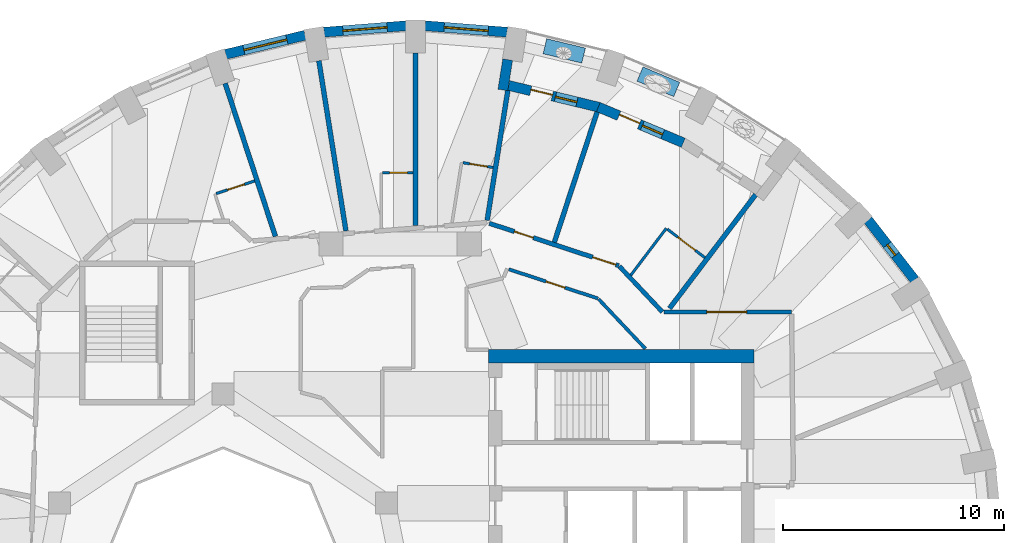
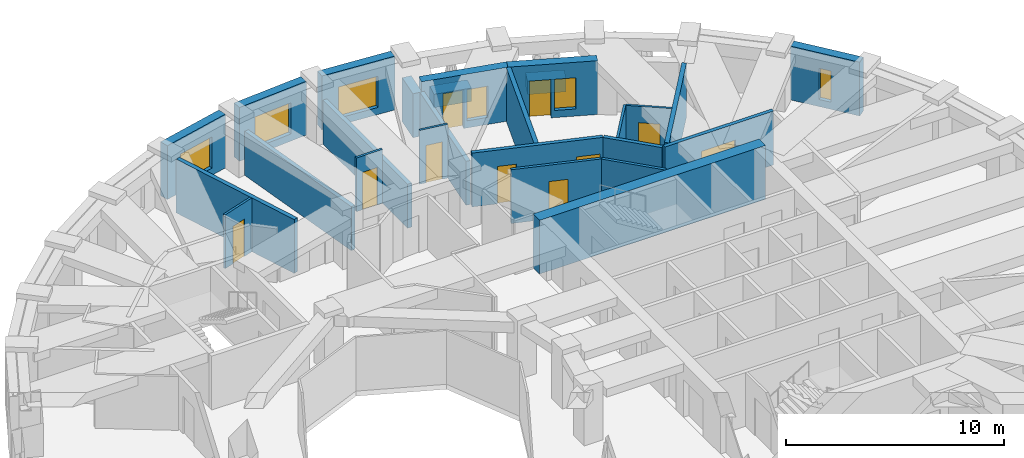
# One storey, part 8 of 12: 26 walls, 10 doors, 6 windows, 16 openings.
"""IFC4 building model written with IfcOpenShell, lengths in metres."""

from ifc_helpers import new_model, si_unit, direction, frame, frame_2d, origin, place, context, subcontext, project, spatial, rectangle, extrude, material, layer, layer_set, constituent, constituent_set, type_object, element, fill, save


model = new_model("IFC4")

# Units and contexts
model_context = context("Model", 3, precision=1e-05, world=origin(), true_north=direction((0.0, 1.0)))
body_context = subcontext(model_context, "Body", "Model", "MODEL_VIEW")
ifc_project = project(units=[si_unit("LENGTHUNIT", "METRE"), si_unit("AREAUNIT", "SQUARE_METRE"), si_unit("VOLUMEUNIT", "CUBIC_METRE"), si_unit("PLANEANGLEUNIT", "RADIAN"), si_unit("MASSUNIT", "GRAM", prefix="KILO")], contexts=[model_context])

# Site, building, storey
site_placement = place(None, origin())
site = spatial("IfcSite", under=ifc_project, at=site_placement, CompositionType="ELEMENT")
building_placement = place(site_placement, origin())
building = spatial("IfcBuilding", under=site, at=building_placement, Name="Taillehof Tower", CompositionType="ELEMENT")
storey_placement = place(building_placement, frame((0.0, 0.0, 189.199951171875)))
storey = spatial("IfcBuildingStorey", under=building, at=storey_placement, Name="L53", CompositionType="ELEMENT", Elevation=189.199951171875)

# Wall, opening, window
ifc_material_1 = material(Name="Brick masonry", Category="masonry")
ifc_layer_1 = layer(ifc_material_1, 0.449951171875)
ifc_layer_set_1 = layer_set([ifc_layer_1], Name="Brick infill wall 450")
wall_type_1 = type_object("IfcWallType", Name="Brick infill wall 450", PredefinedType="SOLIDWALL", material=ifc_layer_set_1)
wall_1_placement = place(storey_placement, frame((23.262939453125, 13.148193359375, 0.0), z_axis=(0.0, 0.0, 1.0), x_axis=(-0.614220816451, 0.789134201919, 0.0)))
wall_1 = element("IfcWall", 1, at=wall_1_placement, inside=storey, type_object=wall_type_1, Name="Brick wall L53 bay 4", PredefinedType="SOLIDWALL", context=body_context, shape_type="SweptSolid", body=[
    extrude(rectangle(XDim=3.437744140625, YDim=0.449951171875, at=frame_2d((1.71875, 0.0))), origin(), (0.0, 0.0, 1.0), 3.02001953125),
])
opening_1_placement = place(wall_1_placement, frame((1.4189453125, 0.0, 0.39990234375)))
opening_1 = element("IfcOpeningElement", 2, at=opening_1_placement, cuts=wall_1, Name="Opening W6", PredefinedType="OPENING", context=body_context, shape_type="SweptSolid", body=[
    extrude(rectangle(XDim=0.60009765625, YDim=1.75, at=frame_2d((0.300048828125, 0.875))), frame((0.0, 0.23486328125, 0.0), z_axis=(0.0, -1.0, 0.0), x_axis=(1.0, 0.0, 0.0)), (0.0, 0.0, 1.0), 0.469970703125),
])
ifc_material_2 = material(Name="Aluminium window frame with clear double glazing", Category="aluminium")
window_type_1 = type_object("IfcWindowType", Name="Slot window 600x1750", PartitioningType="SINGLE_PANEL", PredefinedType="WINDOW", material=ifc_material_2)
window_1_placement = place(opening_1_placement, origin())
window_1 = element("IfcWindow", 3, at=window_1_placement, inside=storey, type_object=window_type_1, Name="W6", OverallHeight=1.75, OverallWidth=0.60009765625, PartitioningType="SINGLE_PANEL", PredefinedType="WINDOW", context=body_context, shape_type="SweptSolid", body=[
    extrude(rectangle(XDim=0.60009765625, YDim=1.75, at=frame_2d((0.300048828125, 0.875))), frame((0.0, 0.034912109375, 0.0), z_axis=(0.0, -1.0, 0.0), x_axis=(1.0, 0.0, 0.0)), (0.0, 0.0, 1.0), 0.06005859375),
])
fill(opening_1, window_1)

wall_2_placement = place(storey_placement, frame((4.841064453125, 24.348388671875, 0.0), z_axis=(0.0, 0.0, 1.0), x_axis=(-0.996918697878, 0.078441760701, 0.0)))
wall_2 = element("IfcWall", 4, at=wall_2_placement, inside=storey, type_object=wall_type_1, Name="Brick wall L53 bay 9", PredefinedType="SOLIDWALL", context=body_context, shape_type="SweptSolid", body=[
    extrude(rectangle(XDim=3.722412109375, YDim=0.449951171875, at=frame_2d((1.861328125, 0.0))), origin(), (0.0, 0.0, 1.0), 3.02001953125),
])
opening_2_placement = place(wall_2_placement, frame((0.861328125, 0.0, 0.39990234375)))
opening_2 = element("IfcOpeningElement", 5, at=opening_2_placement, cuts=wall_2, Name="Opening W2", PredefinedType="OPENING", context=body_context, shape_type="SweptSolid", body=[
    extrude(rectangle(XDim=2.0, YDim=1.75, at=frame_2d((1.0, 0.875))), frame((0.0, 0.23486328125, 0.0), z_axis=(0.0, -1.0, 0.0), x_axis=(1.0, 0.0, 0.0)), (0.0, 0.0, 1.0), 0.469970703125),
])
ifc_material_3 = material(Name="Aluminium window frame with clear double glazing", Category="aluminium")
window_type_2 = type_object("IfcWindowType", Name="Deep-set window 2000x1750", PartitioningType="SINGLE_PANEL", PredefinedType="WINDOW", material=ifc_material_3)
window_2_placement = place(opening_2_placement, origin())
window_2 = element("IfcWindow", 6, at=window_2_placement, inside=storey, type_object=window_type_2, Name="W2", OverallHeight=1.75, OverallWidth=2.0, PartitioningType="SINGLE_PANEL", PredefinedType="WINDOW", context=body_context, shape_type="SweptSolid", body=[
    extrude(rectangle(XDim=2.0, YDim=1.75, at=frame_2d((1.0, 0.875))), frame((0.0, 0.034912109375, 0.0), z_axis=(0.0, -1.0, 0.0), x_axis=(1.0, 0.0, 0.0)), (0.0, 0.0, 1.0), 0.06005859375),
])
fill(opening_2, window_2)

wall_3_placement = place(storey_placement, frame((0.27001953125, 24.640380859375, 0.0), z_axis=(0.0, 0.0, 1.0), x_axis=(-0.996919101401, -0.078436632148, 0.0)))
wall_3 = element("IfcWall", 7, at=wall_3_placement, inside=storey, type_object=wall_type_1, Name="Brick wall L53 bay 10", PredefinedType="SOLIDWALL", context=body_context, shape_type="SweptSolid", body=[
    extrude(rectangle(XDim=3.72265625, YDim=0.449951171875, at=frame_2d((1.861328125, 0.0))), origin(), (0.0, 0.0, 1.0), 3.02001953125),
])
opening_3_placement = place(wall_3_placement, frame((0.861328125, 0.0, 0.39990234375)))
opening_3 = element("IfcOpeningElement", 8, at=opening_3_placement, cuts=wall_3, Name="Opening W2", PredefinedType="OPENING", context=body_context, shape_type="SweptSolid", body=[
    extrude(rectangle(XDim=2.0, YDim=1.75, at=frame_2d((1.0, 0.875))), frame((0.0, 0.23486328125, 0.0), z_axis=(0.0, -1.0, 0.0), x_axis=(1.0, 0.0, 0.0)), (0.0, 0.0, 1.0), 0.469970703125),
])
window_3_placement = place(opening_3_placement, origin())
window_3 = element("IfcWindow", 9, at=window_3_placement, inside=storey, type_object=window_type_2, Name="W2", OverallHeight=1.75, OverallWidth=2.0, PartitioningType="SINGLE_PANEL", PredefinedType="WINDOW", context=body_context, shape_type="SweptSolid", body=[
    extrude(rectangle(XDim=2.0, YDim=1.75, at=frame_2d((1.0, 0.875))), frame((0.0, 0.034912109375, 0.0), z_axis=(0.0, -1.0, 0.0), x_axis=(1.0, 0.0, 0.0)), (0.0, 0.0, 1.0), 0.06005859375),
])
fill(opening_3, window_3)

wall_4_placement = place(storey_placement, frame((-4.29052734375, 24.21337890625, 0.0), z_axis=(0.0, 0.0, 1.0), x_axis=(-0.972173533246, -0.234261864708, 0.0)))
wall_4 = element("IfcWall", 10, at=wall_4_placement, inside=storey, type_object=wall_type_1, Name="Brick wall L53 bay 11", PredefinedType="SOLIDWALL", context=body_context, shape_type="SweptSolid", body=[
    extrude(rectangle(XDim=3.697509765625, YDim=0.449951171875, at=frame_2d((1.8486328125, 0.0))), origin(), (0.0, 0.0, 1.0), 3.02001953125),
])
opening_4_placement = place(wall_4_placement, frame((0.848876953125, 0.0, 0.39990234375)))
opening_4 = element("IfcOpeningElement", 11, at=opening_4_placement, cuts=wall_4, Name="Opening W2", PredefinedType="OPENING", context=body_context, shape_type="SweptSolid", body=[
    extrude(rectangle(XDim=2.0, YDim=1.75, at=frame_2d((1.0, 0.875))), frame((0.0, 0.23486328125, 0.0), z_axis=(0.0, -1.0, 0.0), x_axis=(1.0, 0.0, 0.0)), (0.0, 0.0, 1.0), 0.469970703125),
])
window_4_placement = place(opening_4_placement, origin())
window_4 = element("IfcWindow", 12, at=window_4_placement, inside=storey, type_object=window_type_2, Name="W2", OverallHeight=1.75, OverallWidth=2.0, PartitioningType="SINGLE_PANEL", PredefinedType="WINDOW", context=body_context, shape_type="SweptSolid", body=[
    extrude(rectangle(XDim=2.0, YDim=1.75, at=frame_2d((1.0, 0.875))), frame((0.0, 0.034912109375, 0.0), z_axis=(0.0, -1.0, 0.0), x_axis=(1.0, 0.0, 0.0)), (0.0, 0.0, 1.0), 0.06005859375),
])
fill(opening_4, window_4)

# Wall
wall_5_placement = place(storey_placement, frame((4.8642578125, 23.109130859375, 0.0), z_axis=(0.0, 0.0, 1.0), x_axis=(-0.157017718735, -0.987595785736, 0.0)))
element("IfcWall", 13, at=wall_5_placement, inside=storey, type_object=wall_type_1, Name="Brick reveal L53 pocket 1", PredefinedType="SOLIDWALL", context=body_context, shape_type="SweptSolid", body=[
    extrude(rectangle(XDim=1.39013671875, YDim=0.449951171875, at=frame_2d((0.695068359375, 0.0))), origin(), (0.0, 0.0, 1.0), 2.469970703125),
])

# Wall, openings, door, window
wall_6_placement = place(storey_placement, frame((12.803955078125, 19.3486328125, 0.0), z_axis=(0.0, 0.0, 1.0), x_axis=(-0.921751093055, 0.387782055351, 0.0)))
wall_6 = element("IfcWall", 14, at=wall_6_placement, inside=storey, type_object=wall_type_1, Name="Brick wall L53 pocket bay 7", PredefinedType="SOLIDWALL", context=body_context, shape_type="SweptSolid", body=[
    extrude(rectangle(XDim=4.16845703125, YDim=0.449951171875, at=frame_2d((2.084228515625, 0.0))), origin(), (0.0, 0.0, 1.0), 3.02001953125),
])
opening_5_placement = place(wall_6_placement, frame((1.00927734375, 0.0, 0.39990234375)))
opening_5 = element("IfcOpeningElement", 15, at=opening_5_placement, cuts=wall_6, Name="Opening W5", PredefinedType="OPENING", context=body_context, shape_type="SweptSolid", body=[
    extrude(rectangle(XDim=1.0, YDim=1.75, at=frame_2d((0.5, 0.875))), frame((0.0, 0.23486328125, 0.0), z_axis=(0.0, -1.0, 0.0), x_axis=(1.0, 0.0, 0.0)), (0.0, 0.0, 1.0), 0.469970703125),
])
opening_6_placement = place(wall_6_placement, frame((2.1591796875, 0.0, 0.0)))
opening_6 = element("IfcOpeningElement", 16, at=opening_6_placement, cuts=wall_6, Name="Opening D5392", PredefinedType="OPENING", context=body_context, shape_type="SweptSolid", body=[
    extrude(rectangle(XDim=1.0, YDim=2.14990234375, at=frame_2d((0.5, 1.074951171875))), frame((0.0, 0.23486328125, 0.0), z_axis=(0.0, -1.0, 0.0), x_axis=(1.0, 0.0, 0.0)), (0.0, 0.0, 1.0), 0.469970703125),
])
ifc_material_4 = material(Name="Aluminium door frame with clear double glazing", Category="aluminium")
door_type_1 = type_object("IfcDoorType", Name="Balcony door 1000x2150", OperationType="SINGLE_SWING_RIGHT", PredefinedType="DOOR", material=ifc_material_4)
door_1_placement = place(opening_6_placement, frame((1.0, 0.0, 0.0), z_axis=(0.0, 0.0, 1.0), x_axis=(-1.0, 0.0, 0.0)))
door_1 = element("IfcDoor", 17, at=door_1_placement, inside=storey, type_object=door_type_1, Name="Balcony door L53 bay 7", OperationType="SINGLE_SWING_LEFT", OverallHeight=2.14990234375, OverallWidth=1.0, PredefinedType="DOOR", context=body_context, shape_type="SweptSolid", body=[
    extrude(rectangle(XDim=1.0, YDim=2.14990234375, at=frame_2d((0.5, 1.074951171875))), frame((0.0, 0.0751953125, 0.0), z_axis=(0.0, -1.0, 0.0), x_axis=(1.0, 0.0, 0.0)), (0.0, 0.0, 1.0), 0.050048828125),
])
fill(opening_6, door_1)
ifc_material_5 = material(Name="Aluminium window frame with clear double glazing", Category="aluminium")
window_type_3 = type_object("IfcWindowType", Name="Fixed window 1000x1750", PartitioningType="SINGLE_PANEL", PredefinedType="WINDOW", material=ifc_material_5)
window_5_placement = place(opening_5_placement, origin())
window_5 = element("IfcWindow", 18, at=window_5_placement, inside=storey, type_object=window_type_3, Name="W5", OverallHeight=1.75, OverallWidth=1.0, PartitioningType="SINGLE_PANEL", PredefinedType="WINDOW", context=body_context, shape_type="SweptSolid", body=[
    extrude(rectangle(XDim=1.0, YDim=1.75, at=frame_2d((0.5, 0.875))), frame((0.0, 0.034912109375, 0.0), z_axis=(0.0, -1.0, 0.0), x_axis=(1.0, 0.0, 0.0)), (0.0, 0.0, 1.0), 0.06005859375),
])
fill(opening_5, window_5)

wall_7_placement = place(storey_placement, frame((8.99609375, 20.95361328125, 0.0), z_axis=(0.0, 0.0, 1.0), x_axis=(-0.971994057868, 0.235005428593, 0.0)))
wall_7 = element("IfcWall", 19, at=wall_7_placement, inside=storey, type_object=wall_type_1, Name="Brick wall L53 pocket bay 8", PredefinedType="SOLIDWALL", context=body_context, shape_type="SweptSolid", body=[
    extrude(rectangle(XDim=4.20751953125, YDim=0.449951171875, at=frame_2d((2.103759765625, 0.0))), origin(), (0.0, 0.0, 1.0), 3.02001953125),
])
opening_7_placement = place(wall_7_placement, frame((1.028564453125, 0.0, 0.39990234375)))
opening_7 = element("IfcOpeningElement", 20, at=opening_7_placement, cuts=wall_7, Name="Opening W5", PredefinedType="OPENING", context=body_context, shape_type="SweptSolid", body=[
    extrude(rectangle(XDim=1.0, YDim=1.75, at=frame_2d((0.5, 0.875))), frame((0.0, 0.23486328125, 0.0), z_axis=(0.0, -1.0, 0.0), x_axis=(1.0, 0.0, 0.0)), (0.0, 0.0, 1.0), 0.469970703125),
])
opening_8_placement = place(wall_7_placement, frame((2.1787109375, 0.0, 0.0)))
opening_8 = element("IfcOpeningElement", 21, at=opening_8_placement, cuts=wall_7, Name="Opening D5393", PredefinedType="OPENING", context=body_context, shape_type="SweptSolid", body=[
    extrude(rectangle(XDim=1.0, YDim=2.14990234375, at=frame_2d((0.5, 1.074951171875))), frame((0.0, 0.23486328125, 0.0), z_axis=(0.0, -1.0, 0.0), x_axis=(1.0, 0.0, 0.0)), (0.0, 0.0, 1.0), 0.469970703125),
])
door_2_placement = place(opening_8_placement, frame((1.0, 0.0, 0.0), z_axis=(0.0, 0.0, 1.0), x_axis=(-1.0, 0.0, 0.0)))
door_2 = element("IfcDoor", 22, at=door_2_placement, inside=storey, type_object=door_type_1, Name="Balcony door L53 bay 8", OperationType="SINGLE_SWING_LEFT", OverallHeight=2.14990234375, OverallWidth=1.0, PredefinedType="DOOR", context=body_context, shape_type="SweptSolid", body=[
    extrude(rectangle(XDim=1.0, YDim=2.14990234375, at=frame_2d((0.5, 1.074951171875))), frame((0.0, 0.0751953125, 0.0), z_axis=(0.0, -1.0, 0.0), x_axis=(1.0, 0.0, 0.0)), (0.0, 0.0, 1.0), 0.050048828125),
])
fill(opening_8, door_2)
window_6_placement = place(opening_7_placement, origin())
window_6 = element("IfcWindow", 23, at=window_6_placement, inside=storey, type_object=window_type_3, Name="W5", OverallHeight=1.75, OverallWidth=1.0, PartitioningType="SINGLE_PANEL", PredefinedType="WINDOW", context=body_context, shape_type="SweptSolid", body=[
    extrude(rectangle(XDim=1.0, YDim=1.75, at=frame_2d((0.5, 0.875))), frame((0.0, 0.034912109375, 0.0), z_axis=(0.0, -1.0, 0.0), x_axis=(1.0, 0.0, 0.0)), (0.0, 0.0, 1.0), 0.06005859375),
])
fill(opening_7, window_6)

# Wall, openings, doors
ifc_material_6 = material(Name="Gypsum board on steel studs, two layers each side", Category="steel")
ifc_layer_2 = layer(ifc_material_6, 0.199951171875)
ifc_layer_set_2 = layer_set([ifc_layer_2], Name="Compartment wall corridor 200")
wall_type_2 = type_object("IfcWallType", Name="Compartment wall corridor 200", PredefinedType="PARTITIONING", material=ifc_layer_set_2)
wall_8_placement = place(storey_placement, frame((4.034912109375, 15.708251953125, 0.0), z_axis=(0.0, 0.0, 1.0), x_axis=(0.950331063317, -0.31124085544, 0.0)))
wall_8 = element("IfcWall", 24, at=wall_8_placement, inside=storey, type_object=wall_type_2, Name="Compartment wall", PredefinedType="PARTITIONING", context=body_context, shape_type="SweptSolid", body=[
    extrude(rectangle(XDim=6.1591796875, YDim=0.199951171875, at=frame_2d((3.07958984375, 0.0))), origin(), (0.0, 0.0, 1.0), 3.02001953125),
])
opening_9_placement = place(wall_8_placement, frame((4.919189453125, 0.0, 0.0)))
opening_9 = element("IfcOpeningElement", 25, at=opening_9_placement, cuts=wall_8, Name="Opening D5340", PredefinedType="OPENING", context=body_context, shape_type="SweptSolid", body=[
    extrude(rectangle(XDim=1.10009765625, YDim=2.10009765625, at=frame_2d((0.550048828125, 1.050048828125))), frame((0.0, 0.10986328125, 0.0), z_axis=(0.0, -1.0, 0.0), x_axis=(1.0, 0.0, 0.0)), (0.0, 0.0, 1.0), 0.219970703125),
])
opening_10_placement = place(wall_8_placement, frame((1.189453125, 0.0, 0.0)))
opening_10 = element("IfcOpeningElement", 26, at=opening_10_placement, cuts=wall_8, Name="Opening D5342", PredefinedType="OPENING", context=body_context, shape_type="SweptSolid", body=[
    extrude(rectangle(XDim=0.89990234375, YDim=2.10009765625, at=frame_2d((0.449951171875, 1.050048828125))), frame((0.0, 0.10986328125, 0.0), z_axis=(0.0, -1.0, 0.0), x_axis=(1.0, 0.0, 0.0)), (0.0, 0.0, 1.0), 0.219970703125),
])
ifc_material_7 = material(Name="Timber door leaf in steel frame", Category="steel")
door_type_2 = type_object("IfcDoorType", Name="Accessible guest room door EI 30 1100 x 2100", OperationType="SINGLE_SWING_LEFT", PredefinedType="DOOR", material=ifc_material_7)
door_3_placement = place(opening_9_placement, origin())
door_3 = element("IfcDoor", 27, at=door_3_placement, inside=storey, type_object=door_type_2, Name="D5340", OperationType="SINGLE_SWING_LEFT", OverallHeight=2.10009765625, OverallWidth=1.10009765625, PredefinedType="DOOR", context=body_context, shape_type="SweptSolid", body=[
    extrude(rectangle(XDim=1.10009765625, YDim=2.10009765625, at=frame_2d((0.550048828125, 1.050048828125))), frame((0.0, 0.02490234375, 0.0), z_axis=(0.0, -1.0, 0.0), x_axis=(1.0, 0.0, 0.0)), (0.0, 0.0, 1.0), 0.050048828125),
])
fill(opening_9, door_3)
ifc_material_8 = material(Name="Timber door leaf in steel frame", Category="steel")
door_type_3 = type_object("IfcDoorType", Name="Service room door EI 30 900 x 2100", OperationType="SINGLE_SWING_LEFT", PredefinedType="DOOR", material=ifc_material_8)
door_4_placement = place(opening_10_placement, origin())
door_4 = element("IfcDoor", 28, at=door_4_placement, inside=storey, type_object=door_type_3, Name="D5342", OperationType="SINGLE_SWING_RIGHT", OverallHeight=2.10009765625, OverallWidth=0.89990234375, PredefinedType="DOOR", context=body_context, shape_type="SweptSolid", body=[
    extrude(rectangle(XDim=0.89990234375, YDim=2.10009765625, at=frame_2d((0.449951171875, 1.050048828125))), frame((0.0, 0.02490234375, 0.0), z_axis=(0.0, -1.0, 0.0), x_axis=(1.0, 0.0, 0.0)), (0.0, 0.0, 1.0), 0.050048828125),
])
fill(opening_10, door_4)

# Wall
wall_9_placement = place(storey_placement, frame((9.91552734375, 13.761962890625, 0.0), z_axis=(0.0, 0.0, 1.0), x_axis=(0.686041532799, -0.727562378958, 0.0)))
element("IfcWall", 29, at=wall_9_placement, inside=storey, type_object=wall_type_2, Name="Compartment wall", PredefinedType="PARTITIONING", context=body_context, shape_type="SweptSolid", body=[
    extrude(rectangle(XDim=2.834228515625, YDim=0.199951171875, at=frame_2d((1.4169921875, 0.0))), origin(), (0.0, 0.0, 1.0), 3.02001953125),
])

# Wall, opening, door
wall_10_placement = place(storey_placement, frame((11.93994140625, 11.699951171875, 0.0), z_axis=(0.0, 0.0, 1.0), x_axis=(1.0, 0.0, 0.0)))
wall_10 = element("IfcWall", 30, at=wall_10_placement, inside=storey, type_object=wall_type_2, Name="Compartment wall", PredefinedType="PARTITIONING", context=body_context, shape_type="SweptSolid", body=[
    extrude(rectangle(XDim=5.760009765625, YDim=0.199951171875, at=frame_2d((2.8798828125, 0.0))), origin(), (0.0, 0.0, 1.0), 3.02001953125),
])
opening_11_placement = place(wall_10_placement, frame((1.926513671875, 0.0, 0.0)))
opening_11 = element("IfcOpeningElement", 31, at=opening_11_placement, cuts=wall_10, Name="Opening D5370", PredefinedType="OPENING", context=body_context, shape_type="SweptSolid", body=[
    extrude(rectangle(XDim=1.800048828125, YDim=2.10009765625, at=frame_2d((0.89990234375, 1.050048828125))), frame((0.0, 0.10986328125, 0.0), z_axis=(0.0, -1.0, 0.0), x_axis=(1.0, 0.0, 0.0)), (0.0, 0.0, 1.0), 0.219970703125),
])
ifc_material_9 = material(Name="Timber door leaf in steel frame", Category="steel")
door_type_4 = type_object("IfcDoorType", Name="Lounge and meeting room double door EI 30 1800 x 2100", OperationType="SINGLE_SWING_LEFT", PredefinedType="DOOR", material=ifc_material_9)
door_5_placement = place(opening_11_placement, origin())
door_5 = element("IfcDoor", 32, at=door_5_placement, inside=storey, type_object=door_type_4, Name="D5370", OperationType="DOUBLE_DOOR_SINGLE_SWING", OverallHeight=2.10009765625, OverallWidth=1.800048828125, PredefinedType="DOOR", context=body_context, shape_type="SweptSolid", body=[
    extrude(rectangle(XDim=1.800048828125, YDim=2.10009765625, at=frame_2d((0.89990234375, 1.050048828125))), frame((0.0, 0.02490234375, 0.0), z_axis=(0.0, -1.0, 0.0), x_axis=(1.0, 0.0, 0.0)), (0.0, 0.0, 1.0), 0.050048828125),
])
fill(opening_11, door_5)

# Walls
ifc_material_10 = material(Name="Gypsum board on double steel studs with mineral wool", Category="steel")
ifc_layer_3 = layer(ifc_material_10, 0.219970703125)
ifc_layer_set_3 = layer_set([ifc_layer_3], Name="Compartment wall guest room 220")
wall_type_3 = type_object("IfcWallType", Name="Compartment wall guest room 220", PredefinedType="PARTITIONING", material=ifc_layer_set_3)
wall_11_placement = place(storey_placement, frame((16.076904296875, 17.011474609375, 0.0), z_axis=(0.0, 0.0, 1.0), x_axis=(-0.603635635975, -0.797260320712, 0.0)))
element("IfcWall", 33, at=wall_11_placement, inside=storey, type_object=wall_type_3, Name="Compartment wall", PredefinedType="PARTITIONING", context=body_context, shape_type="SweptSolid", body=[
    extrude(rectangle(XDim=6.45703125, YDim=0.219970703125, at=frame_2d((3.228515625, 0.0))), origin(), (0.0, 0.0, 1.0), 3.02001953125),
])
wall_12_placement = place(storey_placement, frame((8.907958984375, 20.743408203125, 0.0), z_axis=(0.0, 0.0, 1.0), x_axis=(-0.311984764468, -0.950087104817, 0.0)))
element("IfcWall", 34, at=wall_12_placement, inside=storey, type_object=wall_type_3, Name="Compartment wall", PredefinedType="PARTITIONING", context=body_context, shape_type="SweptSolid", body=[
    extrude(rectangle(XDim=6.20166015625, YDim=0.219970703125, at=frame_2d((3.100830078125, 0.0))), origin(), (0.0, 0.0, 1.0), 3.02001953125),
])
wall_13_placement = place(storey_placement, frame((4.87109375, 21.719482421875, 0.0), z_axis=(0.0, 0.0, 1.0), x_axis=(-0.157106861106, -0.987581608878, 0.0)))
element("IfcWall", 35, at=wall_13_placement, inside=storey, type_object=wall_type_3, Name="Compartment wall", PredefinedType="PARTITIONING", context=body_context, shape_type="SweptSolid", body=[
    extrude(rectangle(XDim=5.94873046875, YDim=0.219970703125, at=frame_2d((2.974365234375, 0.0))), origin(), (0.0, 0.0, 1.0), 2.469970703125),
])
wall_14_placement = place(storey_placement, frame((0.699951171875, 23.39990234375, 0.0), z_axis=(0.0, 0.0, 1.0), x_axis=(0.0, -1.0, 0.0)))
element("IfcWall", 36, at=wall_14_placement, inside=storey, type_object=wall_type_3, Name="Compartment wall", PredefinedType="PARTITIONING", context=body_context, shape_type="SweptSolid", body=[
    extrude(rectangle(XDim=7.78662109375, YDim=0.219970703125, at=frame_2d((3.893310546875, 0.0))), origin(), (0.0, 0.0, 1.0), 2.469970703125),
])
wall_15_placement = place(storey_placement, frame((-3.6708984375, 23.05615234375, 0.0), z_axis=(0.0, 0.0, 1.0), x_axis=(0.157087942897, -0.987584618246, 0.0)))
element("IfcWall", 37, at=wall_15_placement, inside=storey, type_object=wall_type_3, Name="Compartment wall", PredefinedType="PARTITIONING", context=body_context, shape_type="SweptSolid", body=[
    extrude(rectangle(XDim=7.786376953125, YDim=0.219970703125, at=frame_2d((3.89306640625, 0.0))), origin(), (0.0, 0.0, 1.0), 2.469970703125),
])
wall_16_placement = place(storey_placement, frame((-7.9072265625, 22.035400390625, 0.0), z_axis=(0.0, 0.0, 1.0), x_axis=(0.311980831408, -0.950088396326, 0.0)))
element("IfcWall", 38, at=wall_16_placement, inside=storey, type_object=wall_type_3, Name="Compartment wall", PredefinedType="PARTITIONING", context=body_context, shape_type="SweptSolid", body=[
    extrude(rectangle(XDim=7.283203125, YDim=0.219970703125, at=frame_2d((3.6416015625, 0.0))), origin(), (0.0, 0.0, 1.0), 3.02001953125),
])

# Wall, opening, door
ifc_material_11 = material(Name="Gypsum board on steel studs, two layers each side", Category="steel")
ifc_layer_4 = layer(ifc_material_11, 0.14990234375)
ifc_layer_set_4 = layer_set([ifc_layer_4], Name="Compartment wall service room 150")
wall_type_4 = type_object("IfcWallType", Name="Compartment wall service room 150", PredefinedType="PARTITIONING", material=ifc_layer_set_4)
wall_17_placement = place(storey_placement, frame((4.917236328125, 13.631103515625, 0.0), z_axis=(0.0, 0.0, 1.0), x_axis=(0.950299632499, -0.311336808733, 0.0)))
wall_17 = element("IfcWall", 39, at=wall_17_placement, inside=storey, type_object=wall_type_4, Name="Compartment wall", PredefinedType="PARTITIONING", context=body_context, shape_type="SweptSolid", body=[
    extrude(rectangle(XDim=4.241455078125, YDim=0.14990234375, at=frame_2d((2.12060546875, 0.0))), origin(), (0.0, 0.0, 1.0), 3.02001953125),
])
opening_12_placement = place(wall_17_placement, frame((1.77294921875, 0.0, 0.0)))
opening_12 = element("IfcOpeningElement", 40, at=opening_12_placement, cuts=wall_17, Name="Opening D5371", PredefinedType="OPENING", context=body_context, shape_type="SweptSolid", body=[
    extrude(rectangle(XDim=0.89990234375, YDim=2.10009765625, at=frame_2d((0.449951171875, 1.050048828125))), frame((0.0, 0.0849609375, 0.0), z_axis=(0.0, -1.0, 0.0), x_axis=(1.0, 0.0, 0.0)), (0.0, 0.0, 1.0), 0.169921875),
])
door_6_placement = place(opening_12_placement, origin())
door_6 = element("IfcDoor", 41, at=door_6_placement, inside=storey, type_object=door_type_3, Name="D5371", OperationType="SINGLE_SWING_LEFT", OverallHeight=2.10009765625, OverallWidth=0.89990234375, PredefinedType="DOOR", context=body_context, shape_type="SweptSolid", body=[
    extrude(rectangle(XDim=0.89990234375, YDim=2.10009765625, at=frame_2d((0.449951171875, 1.050048828125))), frame((0.0, 0.02490234375, 0.0), z_axis=(0.0, -1.0, 0.0), x_axis=(1.0, 0.0, 0.0)), (0.0, 0.0, 1.0), 0.050048828125),
])
fill(opening_12, door_6)

# Walls
wall_18_placement = place(storey_placement, frame((8.975341796875, 12.28125, 0.0), z_axis=(0.0, 0.0, 1.0), x_axis=(0.686010468192, -0.727591669503, 0.0)))
element("IfcWall", 42, at=wall_18_placement, inside=storey, type_object=wall_type_4, Name="Compartment wall", PredefinedType="PARTITIONING", context=body_context, shape_type="SweptSolid", body=[
    extrude(rectangle(XDim=3.07666015625, YDim=0.14990234375, at=frame_2d((1.538330078125, 0.0))), origin(), (0.0, 0.0, 1.0), 3.02001953125),
])
ifc_material_12 = material(Name="Concrete C80/95", Category="concrete")
ifc_layer_5 = layer(ifc_material_12, 0.60009765625)
ifc_layer_set_5 = layer_set([ifc_layer_5], Name="Core wall C80/95 600")
wall_type_5 = type_object("IfcWallType", Name="Core wall C80/95 600", PredefinedType="SHEAR", material=ifc_layer_set_5)
wall_19_placement = place(storey_placement, frame((4.0, 9.699951171875, 0.0), z_axis=(0.0, 0.0, 1.0), x_axis=(1.0, 0.0, 0.0)))
element("IfcWall", 43, at=wall_19_placement, inside=storey, type_object=wall_type_5, Name="Core wall CW06", PredefinedType="SHEAR", context=body_context, shape_type="SweptSolid", body=[
    extrude(rectangle(XDim=12.0, YDim=0.60009765625, at=frame_2d((6.0, 0.0))), origin(), (0.0, 0.0, 1.0), 3.02001953125),
])
ifc_material_13 = material(Name="Gypsum board on steel studs, moisture resistant", Category="steel")
ifc_layer_6 = layer(ifc_material_13, 0.1201171875)
ifc_layer_set_6 = layer_set([ifc_layer_6], Name="En-suite wall 120")
wall_type_6 = type_object("IfcWallType", Name="En-suite wall 120", PredefinedType="PARTITIONING", material=ifc_layer_set_6)
wall_20_placement = place(storey_placement, frame((10.4296875, 13.36279296875, 0.0), z_axis=(0.0, 0.0, 1.0), x_axis=(0.603597479969, 0.797289208616, 0.0)))
element("IfcWall", 44, at=wall_20_placement, inside=storey, type_object=wall_type_6, Name="En-suite wall", PredefinedType="PARTITIONING", context=body_context, shape_type="SweptSolid", body=[
    extrude(rectangle(XDim=2.65576171875, YDim=0.1201171875, at=frame_2d((1.327880859375, 0.0))), origin(), (0.0, 0.0, 1.0), 3.02001953125),
])

# Wall, opening, door
wall_21_placement = place(storey_placement, frame((12.08056640625, 15.444091796875, 0.0), z_axis=(0.0, 0.0, 1.0), x_axis=(0.797240905551, -0.603661277967, 0.0)))
wall_21 = element("IfcWall", 45, at=wall_21_placement, inside=storey, type_object=wall_type_6, Name="En-suite wall", PredefinedType="PARTITIONING", context=body_context, shape_type="SweptSolid", body=[
    extrude(rectangle(XDim=2.130126953125, YDim=0.1201171875, at=frame_2d((1.06494140625, 0.0))), origin(), (0.0, 0.0, 1.0), 3.02001953125),
])
opening_13_placement = place(wall_21_placement, frame((0.590087890625, 0.0, 0.0)))
opening_13 = element("IfcOpeningElement", 46, at=opening_13_placement, cuts=wall_21, Name="Opening D5341", PredefinedType="OPENING", context=body_context, shape_type="SweptSolid", body=[
    extrude(rectangle(XDim=1.0, YDim=2.10009765625, at=frame_2d((0.5, 1.050048828125))), frame((0.0, 0.070068359375, 0.0), z_axis=(0.0, -1.0, 0.0), x_axis=(1.0, 0.0, 0.0)), (0.0, 0.0, 1.0), 0.14013671875),
])
ifc_material_14 = material(Name="Timber door leaf in steel frame", Category="steel")
door_type_5 = type_object("IfcDoorType", Name="Accessible en-suite door 1000 x 2100", OperationType="SINGLE_SWING_LEFT", PredefinedType="DOOR", material=ifc_material_14)
door_7_placement = place(opening_13_placement, origin())
door_7 = element("IfcDoor", 47, at=door_7_placement, inside=storey, type_object=door_type_5, Name="D5341", OperationType="SINGLE_SWING_RIGHT", OverallHeight=2.10009765625, OverallWidth=1.0, PredefinedType="DOOR", context=body_context, shape_type="SweptSolid", body=[
    extrude(rectangle(XDim=1.0, YDim=2.10009765625, at=frame_2d((0.5, 1.050048828125))), frame((0.0, 0.02490234375, 0.0), z_axis=(0.0, -1.0, 0.0), x_axis=(1.0, 0.0, 0.0)), (0.0, 0.0, 1.0), 0.050048828125),
])
fill(opening_13, door_7)

wall_22_placement = place(storey_placement, frame((2.842041015625, 18.448974609375, 0.0), z_axis=(0.0, 0.0, 1.0), x_axis=(0.98758155412, -0.157107205313, 0.0)))
wall_22 = element("IfcWall", 48, at=wall_22_placement, inside=storey, type_object=wall_type_6, Name="En-suite wall", PredefinedType="PARTITIONING", context=body_context, shape_type="SweptSolid", body=[
    extrude(rectangle(XDim=1.3798828125, YDim=0.1201171875, at=frame_2d((0.68994140625, 0.0))), origin(), (0.0, 0.0, 1.0), 3.02001953125),
])
opening_14_placement = place(wall_22_placement, frame((0.31494140625, 0.0, 0.0)))
opening_14 = element("IfcOpeningElement", 49, at=opening_14_placement, cuts=wall_22, Name="Opening D5344", PredefinedType="OPENING", context=body_context, shape_type="SweptSolid", body=[
    extrude(rectangle(XDim=0.800048828125, YDim=2.10009765625, at=frame_2d((0.39990234375, 1.050048828125))), frame((0.0, 0.070068359375, 0.0), z_axis=(0.0, -1.0, 0.0), x_axis=(1.0, 0.0, 0.0)), (0.0, 0.0, 1.0), 0.14013671875),
])
ifc_material_15 = material(Name="Timber door leaf in steel frame", Category="steel")
door_type_6 = type_object("IfcDoorType", Name="En-suite door 800 x 2100", OperationType="SINGLE_SWING_LEFT", PredefinedType="DOOR", material=ifc_material_15)
door_8_placement = place(opening_14_placement, origin())
door_8 = element("IfcDoor", 50, at=door_8_placement, inside=storey, type_object=door_type_6, Name="D5344", OperationType="SINGLE_SWING_LEFT", OverallHeight=2.10009765625, OverallWidth=0.800048828125, PredefinedType="DOOR", context=body_context, shape_type="SweptSolid", body=[
    extrude(rectangle(XDim=0.800048828125, YDim=2.10009765625, at=frame_2d((0.39990234375, 1.050048828125))), frame((0.0, 0.02490234375, 0.0), z_axis=(0.0, -1.0, 0.0), x_axis=(1.0, 0.0, 0.0)), (0.0, 0.0, 1.0), 0.050048828125),
])
fill(opening_14, door_8)

wall_23_placement = place(storey_placement, frame((-0.7900390625, 17.9931640625, 0.0), z_axis=(0.0, 0.0, 1.0), x_axis=(1.0, 0.0, 0.0)))
wall_23 = element("IfcWall", 51, at=wall_23_placement, inside=storey, type_object=wall_type_6, Name="En-suite wall", PredefinedType="PARTITIONING", context=body_context, shape_type="SweptSolid", body=[
    extrude(rectangle(XDim=1.3798828125, YDim=0.1201171875, at=frame_2d((0.68994140625, 0.0))), origin(), (0.0, 0.0, 1.0), 3.02001953125),
])
opening_15_placement = place(wall_23_placement, frame((0.31494140625, 0.0, 0.0)))
opening_15 = element("IfcOpeningElement", 52, at=opening_15_placement, cuts=wall_23, Name="Opening D5346", PredefinedType="OPENING", context=body_context, shape_type="SweptSolid", body=[
    extrude(rectangle(XDim=0.800048828125, YDim=2.10009765625, at=frame_2d((0.39990234375, 1.050048828125))), frame((0.0, 0.070068359375, 0.0), z_axis=(0.0, -1.0, 0.0), x_axis=(1.0, 0.0, 0.0)), (0.0, 0.0, 1.0), 0.14013671875),
])
door_9_placement = place(opening_15_placement, origin())
door_9 = element("IfcDoor", 53, at=door_9_placement, inside=storey, type_object=door_type_6, Name="D5346", OperationType="SINGLE_SWING_RIGHT", OverallHeight=2.10009765625, OverallWidth=0.800048828125, PredefinedType="DOOR", context=body_context, shape_type="SweptSolid", body=[
    extrude(rectangle(XDim=0.800048828125, YDim=2.10009765625, at=frame_2d((0.39990234375, 1.050048828125))), frame((0.0, 0.02490234375, 0.0), z_axis=(0.0, -1.0, 0.0), x_axis=(1.0, 0.0, 0.0)), (0.0, 0.0, 1.0), 0.050048828125),
])
fill(opening_15, door_9)

wall_24_placement = place(storey_placement, frame((-8.313232421875, 17.053955078125, 0.0), z_axis=(0.0, 0.0, 1.0), x_axis=(0.950153758954, 0.311781709446, 0.0)))
wall_24 = element("IfcWall", 54, at=wall_24_placement, inside=storey, type_object=wall_type_6, Name="En-suite wall", PredefinedType="PARTITIONING", context=body_context, shape_type="SweptSolid", body=[
    extrude(rectangle(XDim=1.830078125, YDim=0.1201171875, at=frame_2d((0.9150390625, 0.0))), origin(), (0.0, 0.0, 1.0), 3.02001953125),
])
opening_16_placement = place(wall_24_placement, frame((0.5400390625, 0.0, 0.0)))
opening_16 = element("IfcOpeningElement", 55, at=opening_16_placement, cuts=wall_24, Name="Opening D5349", PredefinedType="OPENING", context=body_context, shape_type="SweptSolid", body=[
    extrude(rectangle(XDim=0.800048828125, YDim=2.10009765625, at=frame_2d((0.39990234375, 1.050048828125))), frame((0.0, 0.070068359375, 0.0), z_axis=(0.0, -1.0, 0.0), x_axis=(1.0, 0.0, 0.0)), (0.0, 0.0, 1.0), 0.14013671875),
])
door_10_placement = place(opening_16_placement, origin())
door_10 = element("IfcDoor", 56, at=door_10_placement, inside=storey, type_object=door_type_6, Name="D5349", OperationType="SINGLE_SWING_RIGHT", OverallHeight=2.10009765625, OverallWidth=0.800048828125, PredefinedType="DOOR", context=body_context, shape_type="SweptSolid", body=[
    extrude(rectangle(XDim=0.800048828125, YDim=2.10009765625, at=frame_2d((0.39990234375, 1.050048828125))), frame((0.0, 0.02490234375, 0.0), z_axis=(0.0, -1.0, 0.0), x_axis=(1.0, 0.0, 0.0)), (0.0, 0.0, 1.0), 0.050048828125),
])
fill(opening_16, door_10)

# Walls
ifc_material_16 = material(Name="Concrete C30/37 precast", Category="concrete")
ifc_constituent_1 = constituent(ifc_material_16, Name="Structure", Category="concrete")
ifc_material_17 = material(Name="Insulated lining")
ifc_constituent_2 = constituent(ifc_material_17, Name="Lining")
ifc_constituent_set = constituent_set(constituents=[ifc_constituent_1, ifc_constituent_2], Name="Planter trough 700x750")
wall_type_7 = type_object("IfcWallType", Name="Planter trough 700x750", PredefinedType="USERDEFINED", material=ifc_constituent_set)
for number, where, z_axis, x_axis, name in (
    (57, (12.505859375, 21.761962890625, 0.0), (0.0, 0.0, 1.0), (-0.922155368213, 0.386819695564, 0.0), "Planter L53 bay 7"),
    (58, (8.29638671875, 23.292236328125, 0.0), (0.0, 0.0, 1.0), (-0.97215043642, 0.234357694494, 0.0), "Planter L53 bay 8"),
):
    element("IfcWall", number, at=place(storey_placement, frame(where, z_axis=z_axis, x_axis=x_axis)), inside=storey, type_object=wall_type_7, Name=name, ObjectType="PLANTER", PredefinedType="USERDEFINED", context=body_context, shape_type="SweptSolid", body=[
        extrude(rectangle(XDim=1.800048828125, YDim=0.699951171875, at=frame_2d((0.89990234375, 0.0))), origin(), (0.0, 0.0, 1.0), 0.75),
    ])

save(model, "model.ifc")
